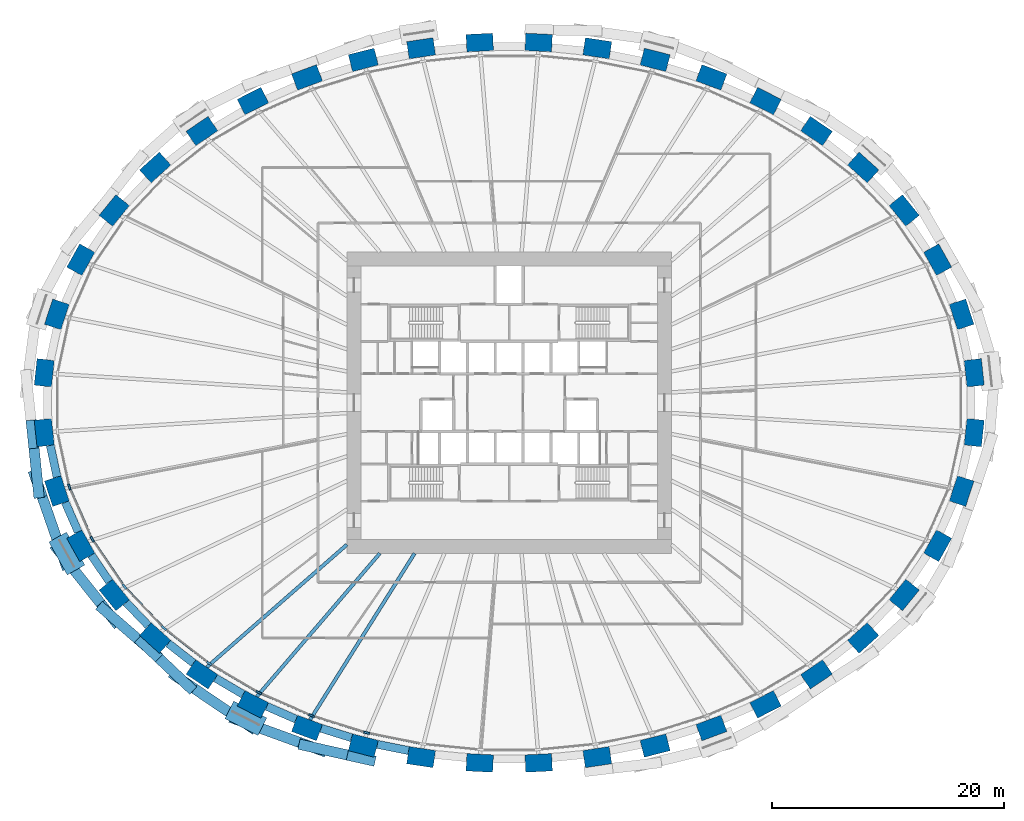
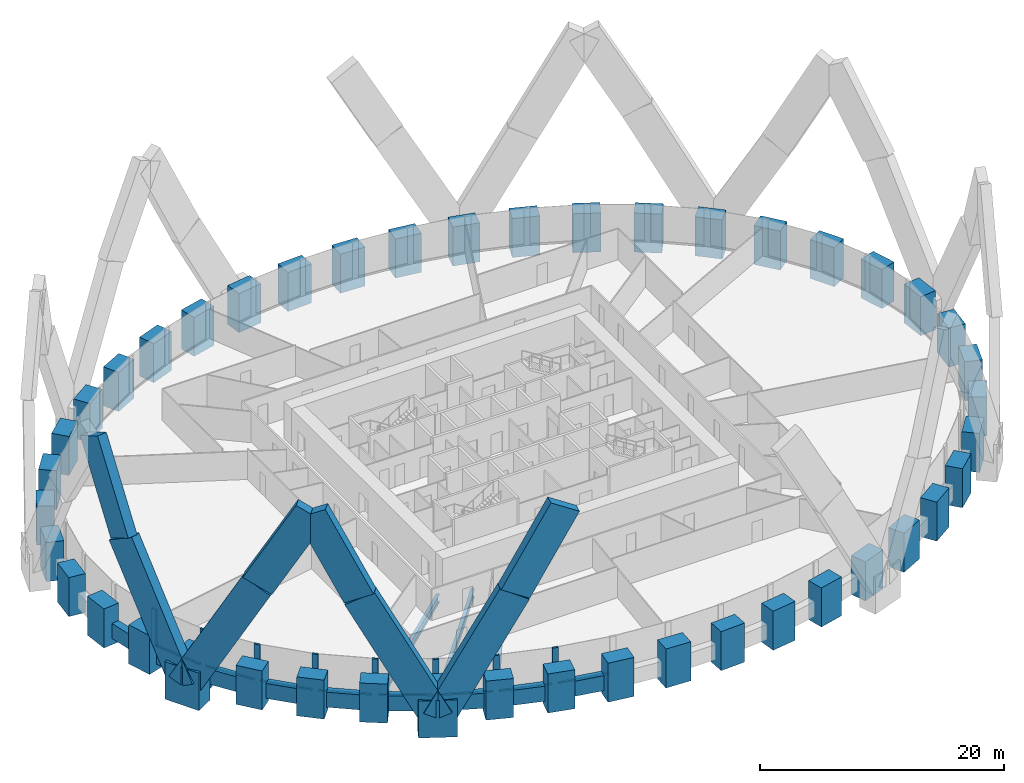
# One storey, part 1 of 13: 44 columns, 26 members, 12 beams, 1 element without a shape of its own.
"""IFC4 building model written with IfcOpenShell, lengths in metres."""

import ifcopenshell
import ifcopenshell.guid

model = None  # the IFC model being written
_history = None  # IfcOwnerHistory: only IFC2X3 demands one
_inside = {}  # id of a spatial element -> (the spatial element, [elements in it])
_under = {}  # id of a project, library or spatial element -> (it, [spatial elements below it])
_declared = {}  # id of a project -> (the project, [libraries it declares])
_typed = {}  # id of a type object -> (the type object, [elements of that type])
_made_of = {}  # id of a material, layer set ... -> (it, [elements and type objects made of it])


def new_model(schema):
    """Start an empty IFC model of exactly this schema.

    Asked for "IFC4X3", IfcOpenShell would pick the latest addendum, in which some entities
    have other attributes; the version numbers below select the first issue.
    IFC2X3 requires an IfcOwnerHistory on every rooted entity: one is made here for all.
    """
    global model, _history
    if schema == "IFC4X3":
        model = ifcopenshell.file(schema_version=(4, 3, 0, 0))
    else:
        model = ifcopenshell.file(schema=schema)
    _inside.clear()
    _under.clear()
    _declared.clear()
    _typed.clear()
    _made_of.clear()
    _history = None
    if model.schema == "IFC2X3":
        org = make("IfcOrganization", Name="unknown")
        user = make(
            "IfcPersonAndOrganization",
            ThePerson=make("IfcPerson", FamilyName="unknown"),
            TheOrganization=org,
        )
        app = make(
            "IfcApplication",
            ApplicationDeveloper=org,
            Version="unknown",
            ApplicationFullName="unknown",
            ApplicationIdentifier="unknown",
        )
        _history = make(
            "IfcOwnerHistory",
            OwningUser=user,
            OwningApplication=app,
            ChangeAction="ADDED",
            CreationDate=0,
        )
    return model


def make(cls, **values):
    """One entity of the class cls with the attributes given. An attribute that is None is left unset."""
    return model.create_entity(
        cls, **{name: value for name, value in values.items() if value is not None}
    )


def rooted(cls, **values):
    """An entity with a GlobalId (a new one), such as an element, a storey or a relation."""
    return make(cls, GlobalId=ifcopenshell.guid.new(), OwnerHistory=_history, **values)


def si_unit(unit_type, name, prefix=None):
    """IfcSIUnit, for example si_unit("LENGTHUNIT", "METRE", prefix="MILLI")."""
    return make("IfcSIUnit", UnitType=unit_type, Prefix=prefix, Name=name)


def assignment(units):
    """IfcUnitAssignment: the units of a project."""
    return None if units is None else make("IfcUnitAssignment", Units=units)


def point(xyz):
    """IfcCartesianPoint."""
    return None if xyz is None else make("IfcCartesianPoint", Coordinates=xyz)


def direction(xyz):
    """IfcDirection."""
    return None if xyz is None else make("IfcDirection", DirectionRatios=xyz)


def frame(location, z_axis=None, x_axis=None):
    """IfcAxis2Placement3D, a coordinate frame: its origin and axes. An axis left out is left unset."""
    return make(
        "IfcAxis2Placement3D",
        Location=point(location),
        Axis=direction(z_axis),
        RefDirection=direction(x_axis),
    )


def frame_2d(location, x_axis=None):
    """IfcAxis2Placement2D, a coordinate frame in the plane: its origin and x axis."""
    return make(
        "IfcAxis2Placement2D", Location=point(location), RefDirection=direction(x_axis)
    )


def origin():
    """The frame at (0, 0, 0) with its axes left unset."""
    return frame((0.0, 0.0, 0.0))


def origin_2d():
    """The frame at (0, 0) in the plane with its x axis left unset."""
    return frame_2d((0.0, 0.0))


def place(relative_to, where):
    """IfcLocalPlacement: puts the frame where relative to a parent placement (None: the world)."""
    return make(
        "IfcLocalPlacement", PlacementRelTo=relative_to, RelativePlacement=where
    )


def context(
    kind, dimensions, precision=None, world=None, true_north=None, identifier=None
):
    """IfcGeometricRepresentationContext, for example the 3D "Model" context."""
    return make(
        "IfcGeometricRepresentationContext",
        ContextIdentifier=identifier,
        ContextType=kind,
        CoordinateSpaceDimension=dimensions,
        Precision=precision,
        WorldCoordinateSystem=world,
        TrueNorth=true_north,
    )


def subcontext(parent, identifier, kind, view, scale=None):
    """IfcGeometricRepresentationSubContext, for example "Body" below "Model"."""
    return make(
        "IfcGeometricRepresentationSubContext",
        ContextIdentifier=identifier,
        ContextType=kind,
        ParentContext=parent,
        TargetScale=scale,
        TargetView=view,
    )


def project(units=None, contexts=None):
    """IfcProject with its units and contexts."""
    return rooted(
        "IfcProject",
        Name="project",
        RepresentationContexts=contexts,
        UnitsInContext=assignment(units),
    )


def spatial(cls, under=None, at=None, **own):
    """A site, building, storey or space (cls), placed at a placement, below another one or the project."""
    s = rooted(cls, ObjectPlacement=at, **own)
    if under is not None:
        _under.setdefault(under.id(), (under, []))[1].append(s)
    return s


def profile(cls, at=None, kind="AREA", **sizes):
    """A parametric profile (cls). Its sizes go by their IFC names, for example OverallWidth=200.0."""
    return make(cls, ProfileType=kind, Position=at, **sizes)


def rectangle(**sizes):
    """IfcRectangleProfileDef."""
    return profile("IfcRectangleProfileDef", **sizes)


def i_section(**sizes):
    """IfcIShapeProfileDef."""
    return profile("IfcIShapeProfileDef", **sizes)


def extrude(swept, where, along, depth):
    """IfcExtrudedAreaSolid: the profile swept, set in the frame where, extruded along a direction by depth."""
    return make(
        "IfcExtrudedAreaSolid",
        SweptArea=swept,
        Position=where,
        ExtrudedDirection=direction(along),
        Depth=depth,
    )


def shape(context_of_items, identifier, shape_type, items):
    """IfcShapeRepresentation: the items that make up one representation, for example the "Body"."""
    return make(
        "IfcShapeRepresentation",
        ContextOfItems=context_of_items,
        RepresentationIdentifier=identifier,
        RepresentationType=shape_type,
        Items=items,
    )


def source(mapping_origin, context_of_items, identifier, shape_type, items):
    """IfcRepresentationMap: a shape defined once, which mapped items show again and again."""
    return make(
        "IfcRepresentationMap",
        MappingOrigin=mapping_origin,
        MappedRepresentation=shape(context_of_items, identifier, shape_type, items),
    )


def transform(
    local_origin,
    x_axis=None,
    y_axis=None,
    z_axis=None,
    scale=None,
    scale2=None,
    scale3=None,
    uniform=True,
):
    """IfcCartesianTransformationOperator3D, or its non-uniform kind. x_axis, y_axis, z_axis: its Axis1, 2, 3."""
    if uniform:
        return make(
            "IfcCartesianTransformationOperator3D",
            Axis1=direction(x_axis),
            Axis2=direction(y_axis),
            LocalOrigin=point(local_origin),
            Scale=scale,
            Axis3=direction(z_axis),
        )
    return make(
        "IfcCartesianTransformationOperator3DnonUniform",
        Axis1=direction(x_axis),
        Axis2=direction(y_axis),
        LocalOrigin=point(local_origin),
        Scale=scale,
        Axis3=direction(z_axis),
        Scale2=scale2,
        Scale3=scale3,
    )


def mapped(mapping_source, mapping_target):
    """IfcMappedItem: shows the shape of a source again, moved by a transform."""
    return make(
        "IfcMappedItem", MappingSource=mapping_source, MappingTarget=mapping_target
    )


def material(Name=None, Category=None):
    """IfcMaterial."""
    return make("IfcMaterial", Name=Name, Category=Category)


def material_profile(
    of_material, cross_section, Name=None, Category=None, Priority=None
):
    """IfcMaterialProfile: a cross section and its material."""
    return make(
        "IfcMaterialProfile",
        Name=Name,
        Material=of_material,
        Profile=cross_section,
        Priority=Priority,
        Category=Category,
    )


def profile_set(profiles, Name=None, composite=None):
    """IfcMaterialProfileSet."""
    return make(
        "IfcMaterialProfileSet",
        Name=Name,
        MaterialProfiles=profiles,
        CompositeProfile=composite,
    )


def made_of(thing, what):
    """Note that an element or type object is made of a material, layer set ...; save() writes the relation."""
    if what is not None:
        _made_of.setdefault(what.id(), (what, []))[1].append(thing)
    return thing


def type_object(cls, material=None, **own):
    """A type object (cls), such as IfcWallType, which elements share."""
    return made_of(rooted(cls, **own), material)


def element(
    cls,
    number,
    at=None,
    inside=None,
    cuts=None,
    type_object=None,
    material=None,
    context=None,
    identifier="Body",
    shape_type=None,
    held_by="IfcProductDefinitionShape",
    body=None,
    shapes=None,
    **own,
):
    """One element of the class cls, such as IfcWall. Its Tag is "e" and its number.

    at: its placement. inside: the storey or other place that contains it. cuts: it is an
    opening in that element (IfcRelVoidsElement). A single representation is given by context,
    identifier, shape_type and body (its items); several are given by shapes. held_by: the class
    of the entity that holds the representations. save() writes the other relations.
    """
    e = rooted(cls, Tag="e%d" % number, ObjectPlacement=at, **own)
    if body is not None:
        shapes = [shape(context, identifier, shape_type, body)]
    if shapes is not None:
        e.Representation = make(held_by, Representations=shapes)
    if inside is not None:
        _inside.setdefault(inside.id(), (inside, []))[1].append(e)
    if cuts is not None:
        rooted(
            "IfcRelVoidsElement", RelatingBuildingElement=cuts, RelatedOpeningElement=e
        )
    if type_object is not None:
        _typed.setdefault(type_object.id(), (type_object, []))[1].append(e)
    return made_of(e, material)


def aggregate(whole, parts):
    """IfcRelAggregates: a whole, such as a stair, and the parts it consists of."""
    return rooted("IfcRelAggregates", RelatingObject=whole, RelatedObjects=parts)


def save(model, path):
    """Write the relations noted so far, then the file.

    IfcRelAggregates (storeys below a building ...), IfcRelContainedInSpatialStructure (elements
    in a storey), IfcRelDefinesByType, IfcRelAssociatesMaterial and IfcRelDeclares: one each for
    every whole, place, type object, material and project.
    """
    for whole, parts in _under.values():
        aggregate(whole, parts)
    for where, things in _inside.values():
        rooted(
            "IfcRelContainedInSpatialStructure",
            RelatedElements=things,
            RelatingStructure=where,
        )
    for kind, things in _typed.values():
        rooted("IfcRelDefinesByType", RelatedObjects=things, RelatingType=kind)
    for what, things in _made_of.values():
        rooted("IfcRelAssociatesMaterial", RelatedObjects=things, RelatingMaterial=what)
    for by, libraries in _declared.values():
        rooted("IfcRelDeclares", RelatingContext=by, RelatedDefinitions=libraries)
    model.write(path)


model = new_model("IFC4")

# Units and contexts
model_context = context("Model", 3, precision=1e-05, world=origin(), true_north=direction((0.0, 1.0)))
body_context = subcontext(model_context, "Body", "Model", "MODEL_VIEW")
ifc_project = project(units=[si_unit("LENGTHUNIT", "METRE"), si_unit("AREAUNIT", "SQUARE_METRE"), si_unit("VOLUMEUNIT", "CUBIC_METRE"), si_unit("PLANEANGLEUNIT", "RADIAN"), si_unit("MASSUNIT", "GRAM", prefix="KILO")], contexts=[model_context])

# Site, building, storey
site_placement = place(None, origin())
site = spatial("IfcSite", under=ifc_project, at=site_placement, CompositionType="ELEMENT")
building_placement = place(site_placement, origin())
building = spatial("IfcBuilding", under=site, at=building_placement, Name="Embergate Tower", CompositionType="ELEMENT")
storey_placement = place(building_placement, frame((0.0, 0.0, 105.5)))
storey = spatial("IfcBuildingStorey", under=building, at=storey_placement, Name="L22", CompositionType="ELEMENT", Elevation=105.5)

# Columns
ifc_material_1 = material(Name="Concrete C70", Category="concrete")
ifc_material_profile_1 = material_profile(ifc_material_1, rectangle(XDim=1.5, YDim=2.300048828125, at=origin_2d()), Name="RC 1500x2300")
ifc_profile_set_1 = profile_set([ifc_material_profile_1], Name="Concrete C70")
column_type = type_object("IfcColumnType", Name="Ring column RC 1500x2300 C70", PredefinedType="COLUMN", material=ifc_profile_set_1)
shared_shape_1 = source(origin(), body_context, "Body", "SweptSolid", [
    extrude(rectangle(XDim=1.5, YDim=2.300048828125, at=origin_2d()), origin(), (0.0, 0.0, 1.0), 3.89990234375),
])
for number, where, z_axis, x_axis, name in (
    (1, (40.1259765625, 2.58203125, -1.39990234375), (0.0, 0.0, 1.0), (0.99428589498, 0.106749983816, 0.0), "COL-L22-00"),
    (2, (39.0400390625, 7.6259765625, -1.39990234375), (0.0, 0.0, 1.0), (0.950754033697, 0.309946394413, 0.0), "COL-L22-01"),
    (3, (36.971923828125, 12.342041015625, -1.39990234375), (0.0, 0.0, 1.0), (0.873500465855, 0.486823311018, 0.0), "COL-L22-02"),
    (4, (34.083984375, 16.590087890625, -1.39990234375), (0.0, 0.0, 1.0), (0.775925311702, 0.630824786022, 0.0), "COL-L22-03"),
    (5, (30.548095703125, 20.299072265625, -1.39990234375), (0.0, 0.0, 1.0), (0.669221393633, 0.743063070206, 0.0), "COL-L22-04"),
    (6, (26.51806640625, 23.444091796875, -1.39990234375), (0.0, 0.0, 1.0), (0.560407734638, 0.828216862275, 0.0), "COL-L22-05"),
    (7, (22.118896484375, 26.031005859375, -1.39990234375), (0.0, 0.0, 1.0), (0.453010512651, 0.891505174089, 0.0), "COL-L22-06"),
    (8, (17.449951171875, 28.072021484375, -1.39990234375), (0.0, 0.0, 1.0), (0.348343015724, 0.93736713373, 0.0), "COL-L22-07"),
    (9, (12.590087890625, 29.5859375, -1.39990234375), (0.0, 0.0, 1.0), (0.24650851817, 0.969140624713, 0.0), "COL-L22-08"),
    (10, (7.60205078125, 30.5859375, -1.39990234375), (0.0, 0.0, 1.0), (0.146929011949, 0.989147039346, 0.0), "COL-L22-09"),
    (11, (2.5419921875, 31.083984375, -1.39990234375), (0.0, 0.0, 1.0), (0.048814904854, 0.998807841912, 0.0), "COL-L22-10"),
    (12, (-2.5419921875, 31.083984375, -1.39990234375), (0.0, 0.0, 1.0), (-0.048814904854, 0.998807841912, 0.0), "COL-L22-11"),
    (13, (-7.60205078125, 30.5859375, -1.39990234375), (0.0, 0.0, 1.0), (-0.146929011949, 0.989147039346, 0.0), "COL-L22-12"),
    (14, (-12.590087890625, 29.5859375, -1.39990234375), (0.0, 0.0, 1.0), (-0.24650851817, 0.969140624713, 0.0), "COL-L22-13"),
    (15, (-17.449951171875, 28.072021484375, -1.39990234375), (0.0, 0.0, 1.0), (-0.348343015724, 0.93736713373, 0.0), "COL-L22-14"),
    (16, (-22.118896484375, 26.031005859375, -1.39990234375), (0.0, 0.0, 1.0), (-0.453010512651, 0.891505174089, 0.0), "COL-L22-15"),
    (17, (-26.51806640625, 23.444091796875, -1.39990234375), (0.0, 0.0, 1.0), (-0.560407734638, 0.828216862275, 0.0), "COL-L22-16"),
    (18, (-30.548095703125, 20.299072265625, -1.39990234375), (0.0, 0.0, 1.0), (-0.669221393633, 0.743063070206, 0.0), "COL-L22-17"),
    (19, (-34.083984375, 16.590087890625, -1.39990234375), (0.0, 0.0, 1.0), (-0.775925311702, 0.630824786022, 0.0), "COL-L22-18"),
    (20, (-36.971923828125, 12.342041015625, -1.39990234375), (0.0, 0.0, 1.0), (-0.873500465855, 0.486823311018, 0.0), "COL-L22-19"),
    (21, (-39.0400390625, 7.6259765625, -1.39990234375), (0.0, 0.0, 1.0), (-0.950754033697, 0.309946394413, 0.0), "COL-L22-20"),
    (22, (-40.1259765625, 2.58203125, -1.39990234375), (0.0, 0.0, 1.0), (-0.99428589498, 0.106749983816, 0.0), "COL-L22-21"),
    (23, (-40.1259765625, -2.58203125, -1.39990234375), (0.0, 0.0, 1.0), (-0.99428589498, -0.106749983816, 0.0), "COL-L22-22"),
    (24, (-39.0400390625, -7.6259765625, -1.39990234375), (0.0, 0.0, 1.0), (-0.950754033697, -0.309946394413, 0.0), "COL-L22-23"),
    (25, (-36.971923828125, -12.342041015625, -1.39990234375), (0.0, 0.0, 1.0), (-0.873500465855, -0.486823311018, 0.0), "COL-L22-24"),
    (26, (-34.083984375, -16.590087890625, -1.39990234375), (0.0, 0.0, 1.0), (-0.775925311702, -0.630824786022, 0.0), "COL-L22-25"),
    (27, (-30.548095703125, -20.299072265625, -1.39990234375), (0.0, 0.0, 1.0), (-0.669221393633, -0.743063070206, 0.0), "COL-L22-26"),
    (28, (-26.51806640625, -23.444091796875, -1.39990234375), (0.0, 0.0, 1.0), (-0.560407734638, -0.828216862275, 0.0), "COL-L22-27"),
    (29, (-22.118896484375, -26.031005859375, -1.39990234375), (0.0, 0.0, 1.0), (-0.453010512651, -0.891505174089, 0.0), "COL-L22-28"),
    (30, (-17.449951171875, -28.072021484375, -1.39990234375), (0.0, 0.0, 1.0), (-0.348343015724, -0.93736713373, 0.0), "COL-L22-29"),
    (31, (-12.590087890625, -29.5859375, -1.39990234375), (0.0, 0.0, 1.0), (-0.24650851817, -0.969140624713, 0.0), "COL-L22-30"),
    (32, (-7.60205078125, -30.5859375, -1.39990234375), (0.0, 0.0, 1.0), (-0.146929011949, -0.989147039346, 0.0), "COL-L22-31"),
    (33, (-2.5419921875, -31.083984375, -1.39990234375), (0.0, 0.0, 1.0), (-0.048814904854, -0.998807841912, 0.0), "COL-L22-32"),
    (34, (2.5419921875, -31.083984375, -1.39990234375), (0.0, 0.0, 1.0), (0.048814904854, -0.998807841912, 0.0), "COL-L22-33"),
    (35, (7.60205078125, -30.5859375, -1.39990234375), (0.0, 0.0, 1.0), (0.146929011949, -0.989147039346, 0.0), "COL-L22-34"),
    (36, (12.590087890625, -29.5859375, -1.39990234375), (0.0, 0.0, 1.0), (0.24650851817, -0.969140624713, 0.0), "COL-L22-35"),
    (37, (17.449951171875, -28.072021484375, -1.39990234375), (0.0, 0.0, 1.0), (0.348343015724, -0.93736713373, 0.0), "COL-L22-36"),
    (38, (22.118896484375, -26.031005859375, -1.39990234375), (0.0, 0.0, 1.0), (0.453010512651, -0.891505174089, 0.0), "COL-L22-37"),
    (39, (26.51806640625, -23.444091796875, -1.39990234375), (0.0, 0.0, 1.0), (0.560407734638, -0.828216862275, 0.0), "COL-L22-38"),
    (40, (30.548095703125, -20.299072265625, -1.39990234375), (0.0, 0.0, 1.0), (0.669221393633, -0.743063070206, 0.0), "COL-L22-39"),
    (41, (34.083984375, -16.590087890625, -1.39990234375), (0.0, 0.0, 1.0), (0.775925311702, -0.630824786022, 0.0), "COL-L22-40"),
    (42, (36.971923828125, -12.342041015625, -1.39990234375), (0.0, 0.0, 1.0), (0.873500465855, -0.486823311018, 0.0), "COL-L22-41"),
    (43, (39.0400390625, -7.6259765625, -1.39990234375), (0.0, 0.0, 1.0), (0.950754033697, -0.309946394413, 0.0), "COL-L22-42"),
    (44, (40.1259765625, -2.58203125, -1.39990234375), (0.0, 0.0, 1.0), (0.99428589498, -0.106749983816, 0.0), "COL-L22-43"),
):
    element("IfcColumn", number, at=place(storey_placement, frame(where, z_axis=z_axis, x_axis=x_axis)), inside=storey, type_object=column_type, Name=name, PredefinedType="COLUMN", context=body_context, shape_type="MappedRepresentation", body=[
        mapped(shared_shape_1, transform((0.0, 0.0, 0.0))),
    ])

# Beams
ifc_material_profile_2 = material_profile(ifc_material_1, rectangle(XDim=0.699951171875, YDim=1.5, at=origin_2d()), Name="RC 700x1500")
ifc_profile_set_2 = profile_set([ifc_material_profile_2], Name="Concrete C70")
beam_type_1 = type_object("IfcBeamType", Name="Spandrel beam RC 700x1500 C70", PredefinedType="BEAM", material=ifc_profile_set_2)
shared_shape_2 = source(origin(), body_context, "Body", "SweptSolid", [
    extrude(rectangle(XDim=0.699951171875, YDim=1.5, at=origin_2d()), origin(), (0.0, 0.0, 1.0), 2.789306640625),
])
beam_1_placement = place(storey_placement, frame((-39.60693359375, -3.68310546875, 0.0), z_axis=(0.210419662527, -0.977611152566, 0.0), x_axis=(0.977611152566, 0.210419662527, 0.0)))
element("IfcBeam", 45, at=beam_1_placement, inside=storey, type_object=beam_type_1, Name="SPN-L22-22", PredefinedType="BEAM", context=body_context, shape_type="MappedRepresentation", body=[
    mapped(shared_shape_2, transform((0.0, 0.0, 0.0))),
])
shared_shape_3 = source(origin(), body_context, "Body", "SweptSolid", [
    extrude(rectangle(XDim=0.699951171875, YDim=1.5, at=origin_2d()), origin(), (0.0, 0.0, 1.0), 2.78564453125),
])
beam_2_placement = place(storey_placement, frame((-38.31201171875, -8.597900390625, 0.0), z_axis=(0.401669232295, -0.915784815242, 0.0), x_axis=(0.915784815242, 0.401669232295, 0.0)))
element("IfcBeam", 46, at=beam_2_placement, inside=storey, type_object=beam_type_1, Name="SPN-L22-23", PredefinedType="BEAM", context=body_context, shape_type="MappedRepresentation", body=[
    mapped(shared_shape_3, transform((0.0, 0.0, 0.0))),
])
shared_shape_4 = source(origin(), body_context, "Body", "SweptSolid", [
    extrude(rectangle(XDim=0.699951171875, YDim=1.5, at=origin_2d()), origin(), (0.0, 0.0, 1.0), 2.775634765625),
])
beam_3_placement = place(storey_placement, frame((-36.06201171875, -13.152099609375, 0.0), z_axis=(0.562430313872, -0.826844690397, 0.0), x_axis=(0.826844690397, 0.562430313872, 0.0)))
element("IfcBeam", 47, at=beam_3_placement, inside=storey, type_object=beam_type_1, Name="SPN-L22-24", PredefinedType="BEAM", context=body_context, shape_type="MappedRepresentation", body=[
    mapped(shared_shape_4, transform((0.0, 0.0, 0.0))),
])
shared_shape_5 = source(origin(), body_context, "Body", "SweptSolid", [
    extrude(rectangle(XDim=0.699951171875, YDim=1.5, at=origin_2d()), origin(), (0.0, 0.0, 1.0), 2.770263671875),
])
beam_4_placement = place(storey_placement, frame((-33.055908203125, -17.237060546875, 0.0), z_axis=(0.690119345663, -0.723695577395, 0.0), x_axis=(0.723695577395, 0.690119345663, 0.0)))
element("IfcBeam", 48, at=beam_4_placement, inside=storey, type_object=beam_type_1, Name="SPN-L22-25", PredefinedType="BEAM", context=body_context, shape_type="MappedRepresentation", body=[
    mapped(shared_shape_5, transform((0.0, 0.0, 0.0))),
])
shared_shape_6 = source(origin(), body_context, "Body", "SweptSolid", [
    extrude(rectangle(XDim=0.699951171875, YDim=1.5, at=origin_2d()), origin(), (0.0, 0.0, 1.0), 2.762939453125),
])
beam_5_placement = place(storey_placement, frame((-29.426025390625, -20.77099609375, 0.0), z_axis=(0.788304284462, -0.615285588242, 0.0), x_axis=(0.615285588242, 0.788304284462, 0.0)))
element("IfcBeam", 49, at=beam_5_placement, inside=storey, type_object=beam_type_1, Name="SPN-L22-26", PredefinedType="BEAM", context=body_context, shape_type="MappedRepresentation", body=[
    mapped(shared_shape_6, transform((0.0, 0.0, 0.0))),
])
shared_shape_7 = source(origin(), body_context, "Body", "SweptSolid", [
    extrude(rectangle(XDim=0.699951171875, YDim=1.5, at=origin_2d()), origin(), (0.0, 0.0, 1.0), 2.758544921875),
])
beam_6_placement = place(storey_placement, frame((-25.345947265625, -23.763916015625, 0.0), z_axis=(0.862027482261, -0.506861539108, 0.0), x_axis=(0.506861539108, 0.862027482261, 0.0)))
element("IfcBeam", 50, at=beam_6_placement, inside=storey, type_object=beam_type_1, Name="SPN-L22-27", PredefinedType="BEAM", context=body_context, shape_type="MappedRepresentation", body=[
    mapped(shared_shape_7, transform((0.0, 0.0, 0.0))),
])
shared_shape_8 = source(origin(), body_context, "Body", "SweptSolid", [
    extrude(rectangle(XDim=0.699951171875, YDim=1.5, at=origin_2d()), origin(), (0.0, 0.0, 1.0), 2.75537109375),
])
beam_7_placement = place(storey_placement, frame((-20.9189453125, -26.2080078125, 0.0), z_axis=(0.916372764163, -0.400326063478, 0.0), x_axis=(0.400326063478, 0.916372764163, 0.0)))
element("IfcBeam", 51, at=beam_7_placement, inside=storey, type_object=beam_type_1, Name="SPN-L22-28", PredefinedType="BEAM", context=body_context, shape_type="MappedRepresentation", body=[
    mapped(shared_shape_8, transform((0.0, 0.0, 0.0))),
])
shared_shape_9 = source(origin(), body_context, "Body", "SweptSolid", [
    extrude(rectangle(XDim=0.699951171875, YDim=1.5, at=origin_2d()), origin(), (0.0, 0.0, 1.0), 2.750732421875),
])
beam_8_placement = place(storey_placement, frame((-16.23193359375, -28.095947265625, 0.0), z_axis=(0.954637769475, -0.297769590609, 0.0), x_axis=(0.297769590609, 0.954637769475, 0.0)))
element("IfcBeam", 52, at=beam_8_placement, inside=storey, type_object=beam_type_1, Name="SPN-L22-29", PredefinedType="BEAM", context=body_context, shape_type="MappedRepresentation", body=[
    mapped(shared_shape_9, transform((0.0, 0.0, 0.0))),
])
shared_shape_10 = source(origin(), body_context, "Body", "SweptSolid", [
    extrude(rectangle(XDim=0.699951171875, YDim=1.5, at=origin_2d()), origin(), (0.0, 0.0, 1.0), 2.749755859375),
])
beam_9_placement = place(storey_placement, frame((-11.376953125, -29.48291015625, 0.0), z_axis=(0.98045412413, -0.196747834743, 0.0), x_axis=(0.196747834743, 0.98045412413, 0.0)))
element("IfcBeam", 53, at=beam_9_placement, inside=storey, type_object=beam_type_1, Name="SPN-L22-30", PredefinedType="BEAM", context=body_context, shape_type="MappedRepresentation", body=[
    mapped(shared_shape_10, transform((0.0, 0.0, 0.0))),
])
ifc_material_2 = material(Name="Steel Q355B", Category="steel")
ifc_material_profile_3 = material_profile(ifc_material_2, i_section(OverallWidth=0.300048828125, OverallDepth=0.800048828125, WebThickness=0.013916015625, FlangeThickness=0.02587890625, FilletRadius=0.028076171875, at=origin_2d()), Name="HN 800x300x14x26")
ifc_profile_set_3 = profile_set([ifc_material_profile_3], Name="Steel Q355 grade B")
beam_type_2 = type_object("IfcBeamType", Name="Radial girder HN 800x300x14x26", PredefinedType="BEAM", material=ifc_profile_set_3)
shared_shape_11 = source(origin(), body_context, "Body", "SweptSolid", [
    extrude(i_section(OverallWidth=0.300048828125, OverallDepth=0.800048828125, WebThickness=0.013916015625, FlangeThickness=0.02587890625, FilletRadius=0.028076171875, at=origin_2d()), origin(), (0.0, 0.0, 1.0), 16.071533203125),
])
beam_10_placement = place(storey_placement, frame((-26.097900390625, -22.822998046875, -0.60009765625), z_axis=(0.752748875992, 0.658307777329, 0.0), x_axis=(-0.658307777329, 0.752748875992, 0.0)))
element("IfcBeam", 54, at=beam_10_placement, inside=storey, type_object=beam_type_2, Name="GIR-L22-27", PredefinedType="BEAM", context=body_context, shape_type="MappedRepresentation", body=[
    mapped(shared_shape_11, transform((0.0, 0.0, 0.0))),
])
shared_shape_12 = source(origin(), body_context, "Body", "SweptSolid", [
    extrude(i_section(OverallWidth=0.300048828125, OverallDepth=0.800048828125, WebThickness=0.013916015625, FlangeThickness=0.02587890625, FilletRadius=0.028076171875, at=origin_2d()), origin(), (0.0, 0.0, 1.0), 16.294677734375),
])
beam_11_placement = place(storey_placement, frame((-21.779052734375, -25.362060546875, -0.60009765625), z_axis=(0.651495635829, 0.758652381856, 0.0), x_axis=(-0.758652381856, 0.651495635829, 0.0)))
element("IfcBeam", 55, at=beam_11_placement, inside=storey, type_object=beam_type_2, Name="GIR-L22-28", PredefinedType="BEAM", context=body_context, shape_type="MappedRepresentation", body=[
    mapped(shared_shape_12, transform((0.0, 0.0, 0.0))),
])
shared_shape_13 = source(origin(), body_context, "Body", "SweptSolid", [
    extrude(i_section(OverallWidth=0.300048828125, OverallDepth=0.800048828125, WebThickness=0.013916015625, FlangeThickness=0.02587890625, FilletRadius=0.028076171875, at=origin_2d()), origin(), (0.0, 0.0, 1.0), 16.968017578125),
])
beam_12_placement = place(storey_placement, frame((-17.18896484375, -27.368896484375, -0.60009765625), z_axis=(0.53187684388, 0.846821718513, 0.0), x_axis=(-0.846821718513, 0.53187684388, 0.0)))
element("IfcBeam", 56, at=beam_12_placement, inside=storey, type_object=beam_type_2, Name="GIR-L22-29", PredefinedType="BEAM", context=body_context, shape_type="MappedRepresentation", body=[
    mapped(shared_shape_13, transform((0.0, 0.0, 0.0))),
])

# Members
ifc_material_profile_4 = material_profile(ifc_material_1, rectangle(XDim=1.699951171875, YDim=3.199951171875, at=origin_2d()), Name="RC 1700x3200")
ifc_profile_set_4 = profile_set([ifc_material_profile_4], Name="Concrete C70")
member_type_1 = type_object("IfcMemberType", Name="Lattice node block RC 1700x3200", PredefinedType="POST", material=ifc_profile_set_4)
shared_shape_14 = source(origin(), body_context, "Body", "SweptSolid", [
    extrude(rectangle(XDim=1.699951171875, YDim=3.199951171875, at=origin_2d()), origin(), (0.0, 0.0, 1.0), 3.7001953125),
])
member_1_placement = place(storey_placement, frame((-22.72998046875, -27.23388671875, -1.85009765625), z_axis=(0.0, 0.0, 1.0), x_axis=(-0.453010512651, -0.891505174089, 0.0)))
element("IfcMember", 57, at=member_1_placement, inside=storey, type_object=member_type_1, Name="NOD-L22-28", PredefinedType="POST", context=body_context, shape_type="MappedRepresentation", body=[
    mapped(shared_shape_14, transform((0.0, 0.0, 0.0))),
])
ifc_material_profile_5 = material_profile(ifc_material_1, rectangle(XDim=1.75, YDim=3.25, at=origin_2d()), Name="RC 1750x3250")
ifc_profile_set_5 = profile_set([ifc_material_profile_5], Name="Concrete C70")
member_type_2 = type_object("IfcMemberType", Name="Lattice node block RC 1750x3250", PredefinedType="POST", material=ifc_profile_set_5)
shared_shape_15 = source(origin(), body_context, "Body", "SweptSolid", [
    extrude(rectangle(XDim=1.75, YDim=3.25, at=origin_2d()), origin(), (0.0, 0.0, 1.0), 3.75),
])
member_2_placement = place(storey_placement, frame((-38.173095703125, -13.011962890625, -1.875), z_axis=(0.0, 0.0, 1.0), x_axis=(-0.873500465855, -0.486823311018, 0.0)))
element("IfcMember", 58, at=member_2_placement, inside=storey, type_object=member_type_2, Name="NOD-L22-24", PredefinedType="POST", context=body_context, shape_type="MappedRepresentation", body=[
    mapped(shared_shape_15, transform((0.0, 0.0, 0.0))),
])
ifc_material_profile_6 = material_profile(ifc_material_1, rectangle(XDim=0.89990234375, YDim=2.800048828125, at=origin_2d()), Name="RC 900x2800")
ifc_profile_set_6 = profile_set([ifc_material_profile_6], Name="Concrete C70")
member_type_3 = type_object("IfcMemberType", Name="Lattice diagonal terracotta-faced RC 900x2800", PredefinedType="BRACE", material=ifc_profile_set_6)
shared_shape_16 = source(origin(), body_context, "Body", "SweptSolid", [
    extrude(rectangle(XDim=0.89990234375, YDim=2.800048828125, at=origin_2d()), origin(), (0.0, 0.0, 1.0), 13.422607421875),
])
member_3_placement = place(storey_placement, frame((-38.528076171875, -13.208984375, 0.0), z_axis=(-0.161369824096, 0.462792358464, 0.871655329141), x_axis=(-0.944244190506, -0.329245969901, 0.0)))
element("IfcMember", 59, at=member_3_placement, inside=storey, type_object=member_type_3, Name="BRC-L22-24-22-S00", PredefinedType="BRACE", context=body_context, shape_type="MappedRepresentation", body=[
    mapped(shared_shape_16, transform((0.0, 0.0, 0.0))),
])
shared_shape_17 = source(origin(), body_context, "Body", "SweptSolid", [
    extrude(rectangle(XDim=0.89990234375, YDim=2.800048828125, at=origin_2d()), origin(), (0.0, 0.0, 1.0), 8.9052734375),
])
member_4_placement = place(storey_placement, frame((-40.694091796875, -6.9970703125, 11.699951171875), z_axis=(-0.049402675767, 0.479962621894, 0.875896830233), x_axis=(-0.994744405317, -0.10238929676, 0.0)))
element("IfcMember", 60, at=member_4_placement, inside=storey, type_object=member_type_3, Name="BRC-L22-24-22-S01", PredefinedType="BRACE", context=body_context, shape_type="MappedRepresentation", body=[
    mapped(shared_shape_17, transform((0.0, 0.0, 0.0))),
])
shared_shape_18 = source(origin(), body_context, "Body", "SweptSolid", [
    extrude(rectangle(XDim=0.89990234375, YDim=2.800048828125, at=origin_2d()), origin(), (0.0, 0.0, 1.0), 13.376708984375),
])
member_5_placement = place(storey_placement, frame((-38.528076171875, -13.208984375, 0.0), z_axis=(0.302020546814, -0.379168289828, 0.874651357565), x_axis=(0.782189419454, 0.623040698586, 0.0)))
element("IfcMember", 61, at=member_5_placement, inside=storey, type_object=member_type_3, Name="BRC-L22-24-26-S00", PredefinedType="BRACE", context=body_context, shape_type="MappedRepresentation", body=[
    mapped(shared_shape_18, transform((0.0, 0.0, 0.0))),
])
shared_shape_19 = source(origin(), body_context, "Body", "SweptSolid", [
    extrude(rectangle(XDim=0.89990234375, YDim=2.800048828125, at=origin_2d()), origin(), (0.0, 0.0, 1.0), 8.982666015625),
])
member_6_placement = place(storey_placement, frame((-34.488037109375, -18.281005859375, 11.699951171875), z_axis=(0.374282194779, -0.325414328523, 0.868342302012), x_axis=(0.65612308708, 0.754653890602, 0.0)))
element("IfcMember", 62, at=member_6_placement, inside=storey, type_object=member_type_3, Name="BRC-L22-24-26-S01", PredefinedType="BRACE", context=body_context, shape_type="MappedRepresentation", body=[
    mapped(shared_shape_19, transform((0.0, 0.0, 0.0))),
])
shared_shape_20 = source(origin(), body_context, "Body", "SweptSolid", [
    extrude(rectangle(XDim=0.89990234375, YDim=2.800048828125, at=origin_2d()), origin(), (0.0, 0.0, 1.0), 13.320556640625),
])
member_7_placement = place(storey_placement, frame((-22.902099609375, -27.572021484375, 0.0), z_axis=(-0.39553990948, 0.268452483859, 0.878340164127), x_axis=(-0.561573610229, -0.827426782437, 0.0)))
element("IfcMember", 63, at=member_7_placement, inside=storey, type_object=member_type_3, Name="BRC-L22-28-26-S00", PredefinedType="BRACE", context=body_context, shape_type="MappedRepresentation", body=[
    mapped(shared_shape_20, transform((0.0, 0.0, 0.0))),
])
shared_shape_21 = source(origin(), body_context, "Body", "SweptSolid", [
    extrude(rectangle(XDim=0.89990234375, YDim=2.800048828125, at=origin_2d()), origin(), (0.0, 0.0, 1.0), 8.7958984375),
])
member_8_placement = place(storey_placement, frame((-28.1708984375, -23.99609375, 11.699951171875), z_axis=(-0.33595953082, 0.317418472774, 0.886778837588), x_axis=(-0.686764590394, -0.726879905748, 0.0)))
element("IfcMember", 64, at=member_8_placement, inside=storey, type_object=member_type_3, Name="BRC-L22-28-26-S01", PredefinedType="BRACE", context=body_context, shape_type="MappedRepresentation", body=[
    mapped(shared_shape_21, transform((0.0, 0.0, 0.0))),
])
shared_shape_22 = source(origin(), body_context, "Body", "SweptSolid", [
    extrude(rectangle(XDim=0.89990234375, YDim=2.800048828125, at=origin_2d()), origin(), (0.0, 0.0, 1.0), 13.306884765625),
])
member_9_placement = place(storey_placement, frame((-22.902099609375, -27.572021484375, 0.0), z_axis=(0.447668193819, -0.16284847903, 0.879246018541), x_axis=(0.34185438717, 0.939752934538, 0.0)))
element("IfcMember", 65, at=member_9_placement, inside=storey, type_object=member_type_3, Name="BRC-L22-28-30-S00", PredefinedType="BRACE", context=body_context, shape_type="MappedRepresentation", body=[
    mapped(shared_shape_22, transform((0.0, 0.0, 0.0))),
])
shared_shape_23 = source(origin(), body_context, "Body", "SweptSolid", [
    extrude(rectangle(XDim=0.89990234375, YDim=2.800048828125, at=origin_2d()), origin(), (0.0, 0.0, 1.0), 8.897216796875),
])
member_10_placement = place(storey_placement, frame((-16.945068359375, -29.739013671875, 11.699951171875), z_axis=(0.469467019398, -0.105094317862, 0.876673201399), x_axis=(0.218452078122, 0.97584767744, 0.0)))
element("IfcMember", 66, at=member_10_placement, inside=storey, type_object=member_type_3, Name="BRC-L22-28-30-S01", PredefinedType="BRACE", context=body_context, shape_type="MappedRepresentation", body=[
    mapped(shared_shape_23, transform((0.0, 0.0, 0.0))),
])

# Curtain wall, members
ifc_material_3 = material(Name="Aluminium and glass", Category="aluminium")
curtain_wall_type = type_object("IfcCurtainWallType", Name="Recessed office glazing", PredefinedType="NOTDEFINED", material=ifc_material_3)
curtain_wall_placement = place(storey_placement, origin())
curtain_wall = element("IfcCurtainWall", 67, at=curtain_wall_placement, inside=storey, type_object=curtain_wall_type, Name="Recessed office glazing ring", ObjectType="RECESSED OFFICE GLAZING", PredefinedType="USERDEFINED")
ifc_material_4 = material(Name="Aluminium, thermally broken", Category="aluminium")
ifc_material_profile_7 = material_profile(ifc_material_4, rectangle(XDim=0.179931640625, YDim=0.52001953125, at=origin_2d()), Name="AL 520x180")
ifc_profile_set_7 = profile_set([ifc_material_profile_7], Name="Aluminium, thermally broken")
member_type_4 = type_object("IfcMemberType", Name="Office mullion", PredefinedType="MULLION", material=ifc_profile_set_7)
shared_shape_24 = source(origin(), body_context, "Body", "SweptSolid", [
    extrude(rectangle(XDim=0.179931640625, YDim=0.52001953125, at=origin_2d()), origin(), (0.0, 0.0, 1.0), 3.699951171875),
])
member_11_placement = place(storey_placement, frame((-37.95654296875, -7.272705078125, 0.0), z_axis=(0.0, 0.0, 1.0), x_axis=(0.951501556643, 0.307643930065, 0.0)))
member_11 = element("IfcMember", 68, at=member_11_placement, type_object=member_type_4, Name="CW mullion 24", PredefinedType="MULLION", context=body_context, shape_type="MappedRepresentation", body=[
    mapped(shared_shape_24, transform((0.0, 0.0, 0.0))),
])
member_12_placement = place(storey_placement, frame((-35.9765625, -11.787353515625, 0.0), z_axis=(0.0, 0.0, 1.0), x_axis=(0.875009500255, 0.484105747191, 0.0)))
member_12 = element("IfcMember", 69, at=member_12_placement, type_object=member_type_4, Name="CW mullion 25", PredefinedType="MULLION", context=body_context, shape_type="MappedRepresentation", body=[
    mapped(shared_shape_24, transform((0.0, 0.0, 0.0))),
])
member_13_placement = place(storey_placement, frame((-33.19921875, -15.87109375, 0.0), z_axis=(0.0, 0.0, 1.0), x_axis=(0.777883532271, 0.628408474022, 0.0)))
member_13 = element("IfcMember", 70, at=member_13_placement, type_object=member_type_4, Name="CW mullion 26", PredefinedType="MULLION", context=body_context, shape_type="MappedRepresentation", body=[
    mapped(shared_shape_24, transform((0.0, 0.0, 0.0))),
])
member_14_placement = place(storey_placement, frame((-29.784912109375, -19.451416015625, 0.0), z_axis=(0.0, 0.0, 1.0), x_axis=(0.671238177437, 0.741241734626, 0.0)))
member_14 = element("IfcMember", 71, at=member_14_placement, type_object=member_type_4, Name="CW mullion 27", PredefinedType="MULLION", context=body_context, shape_type="MappedRepresentation", body=[
    mapped(shared_shape_24, transform((0.0, 0.0, 0.0))),
])
member_15_placement = place(storey_placement, frame((-25.87890625, -22.5, 0.0), z_axis=(0.0, 0.0, 1.0), x_axis=(0.562227722082, 0.826982459622, 0.0)))
member_15 = element("IfcMember", 72, at=member_15_placement, type_object=member_type_4, Name="CW mullion 28", PredefinedType="MULLION", context=body_context, shape_type="MappedRepresentation", body=[
    mapped(shared_shape_24, transform((0.0, 0.0, 0.0))),
])
member_16_placement = place(storey_placement, frame((-21.602294921875, -25.014404296875, 0.0), z_axis=(0.0, 0.0, 1.0), x_axis=(0.454520708319, 0.890736170653, 0.0)))
member_16 = element("IfcMember", 73, at=member_16_placement, type_object=member_type_4, Name="CW mullion 29", PredefinedType="MULLION", context=body_context, shape_type="MappedRepresentation", body=[
    mapped(shared_shape_24, transform((0.0, 0.0, 0.0))),
])
member_17_placement = place(storey_placement, frame((-17.052734375, -27.00390625, 0.0), z_axis=(0.0, 0.0, 1.0), x_axis=(0.349510859141, 0.936932313106, 0.0)))
member_17 = element("IfcMember", 74, at=member_17_placement, type_object=member_type_4, Name="CW mullion 30", PredefinedType="MULLION", context=body_context, shape_type="MappedRepresentation", body=[
    mapped(shared_shape_24, transform((0.0, 0.0, 0.0))),
])
member_18_placement = place(storey_placement, frame((-12.30859375, -28.481201171875, 0.0), z_axis=(0.0, 0.0, 1.0), x_axis=(0.247316954703, 0.968934633459, 0.0)))
member_18 = element("IfcMember", 75, at=member_18_placement, type_object=member_type_4, Name="CW mullion 31", PredefinedType="MULLION", context=body_context, shape_type="MappedRepresentation", body=[
    mapped(shared_shape_24, transform((0.0, 0.0, 0.0))),
])
ifc_material_profile_8 = material_profile(ifc_material_4, rectangle(XDim=0.179931640625, YDim=0.14990234375, at=origin_2d()), Name="AL 150x180")
ifc_profile_set_8 = profile_set([ifc_material_profile_8], Name="Aluminium, thermally broken")
member_type_5 = type_object("IfcMemberType", Name="Office sill transom", PredefinedType="USERDEFINED", material=ifc_profile_set_8)
shared_shape_25 = source(origin(), body_context, "Body", "SweptSolid", [
    extrude(rectangle(XDim=0.179931640625, YDim=0.14990234375, at=origin_2d()), origin(), (0.0, 0.0, 1.0), 4.409912109375),
])
member_19_placement = place(storey_placement, frame((-37.85205078125, -7.5107421875, 0.074951171875), z_axis=(0.401649276601, -0.915793567681, 0.0), x_axis=(0.915793567681, 0.401649276601, 0.0)))
member_19 = element("IfcMember", 76, at=member_19_placement, type_object=member_type_5, Name="CW transom 24.1", ObjectType="TRANSOM", PredefinedType="USERDEFINED", context=body_context, shape_type="MappedRepresentation", body=[
    mapped(shared_shape_25, transform((0.0, 0.0, 0.0))),
])
shared_shape_26 = source(origin(), body_context, "Body", "SweptSolid", [
    extrude(rectangle(XDim=0.179931640625, YDim=0.14990234375, at=origin_2d()), origin(), (0.0, 0.0, 1.0), 4.41845703125),
])
member_20_placement = place(storey_placement, frame((-35.830078125, -12.002197265625, 0.074951171875), z_axis=(0.562314555327, -0.826923418986, 0.0), x_axis=(0.826923418986, 0.562314555327, 0.0)))
member_20 = element("IfcMember", 77, at=member_20_placement, type_object=member_type_5, Name="CW transom 25.1", ObjectType="TRANSOM", PredefinedType="USERDEFINED", context=body_context, shape_type="MappedRepresentation", body=[
    mapped(shared_shape_26, transform((0.0, 0.0, 0.0))),
])
shared_shape_27 = source(origin(), body_context, "Body", "SweptSolid", [
    extrude(rectangle(XDim=0.179931640625, YDim=0.14990234375, at=origin_2d()), origin(), (0.0, 0.0, 1.0), 4.42724609375),
])
member_21_placement = place(storey_placement, frame((-33.019775390625, -16.059326171875, 0.074951171875), z_axis=(0.690143848167, -0.723672210906, 0.0), x_axis=(0.723672210906, 0.690143848167, 0.0)))
member_21 = element("IfcMember", 78, at=member_21_placement, type_object=member_type_5, Name="CW transom 26.1", ObjectType="TRANSOM", PredefinedType="USERDEFINED", context=body_context, shape_type="MappedRepresentation", body=[
    mapped(shared_shape_27, transform((0.0, 0.0, 0.0))),
])
shared_shape_28 = source(origin(), body_context, "Body", "SweptSolid", [
    extrude(rectangle(XDim=0.179931640625, YDim=0.14990234375, at=origin_2d()), origin(), (0.0, 0.0, 1.0), 4.434814453125),
])
member_22_placement = place(storey_placement, frame((-29.580078125, -19.611572265625, 0.074951171875), z_axis=(0.788331413259, -0.615250829231, 0.0), x_axis=(0.615250829231, 0.788331413259, 0.0)))
member_22 = element("IfcMember", 79, at=member_22_placement, type_object=member_type_5, Name="CW transom 27.1", ObjectType="TRANSOM", PredefinedType="USERDEFINED", context=body_context, shape_type="MappedRepresentation", body=[
    mapped(shared_shape_28, transform((0.0, 0.0, 0.0))),
])
shared_shape_29 = source(origin(), body_context, "Body", "SweptSolid", [
    extrude(rectangle(XDim=0.179931640625, YDim=0.14990234375, at=origin_2d()), origin(), (0.0, 0.0, 1.0), 4.441162109375),
])
member_23_placement = place(storey_placement, frame((-25.65478515625, -22.6318359375, 0.074951171875), z_axis=(0.862033122062, -0.506851947287, 0.0), x_axis=(0.506851947287, 0.862033122062, 0.0)))
member_23 = element("IfcMember", 80, at=member_23_placement, type_object=member_type_5, Name="CW transom 28.1", ObjectType="TRANSOM", PredefinedType="USERDEFINED", context=body_context, shape_type="MappedRepresentation", body=[
    mapped(shared_shape_29, transform((0.0, 0.0, 0.0))),
])
shared_shape_30 = source(origin(), body_context, "Body", "SweptSolid", [
    extrude(rectangle(XDim=0.179931640625, YDim=0.14990234375, at=origin_2d()), origin(), (0.0, 0.0, 1.0), 4.4453125),
])
member_24_placement = place(storey_placement, frame((-21.364013671875, -25.11865234375, 0.074951171875), z_axis=(0.916234206369, -0.400643081907, 0.0), x_axis=(0.400643081907, 0.916234206369, 0.0)))
member_24 = element("IfcMember", 81, at=member_24_placement, type_object=member_type_5, Name="CW transom 29.1", ObjectType="TRANSOM", PredefinedType="USERDEFINED", context=body_context, shape_type="MappedRepresentation", body=[
    mapped(shared_shape_30, transform((0.0, 0.0, 0.0))),
])
shared_shape_31 = source(origin(), body_context, "Body", "SweptSolid", [
    extrude(rectangle(XDim=0.179931640625, YDim=0.14990234375, at=origin_2d()), origin(), (0.0, 0.0, 1.0), 4.448974609375),
])
member_25_placement = place(storey_placement, frame((-16.8046875, -27.081298828125, 0.074951171875), z_axis=(0.954779260894, -0.297315594892, 0.0), x_axis=(0.297315594892, 0.954779260894, 0.0)))
member_25 = element("IfcMember", 82, at=member_25_placement, type_object=member_type_5, Name="CW transom 30.1", ObjectType="TRANSOM", PredefinedType="USERDEFINED", context=body_context, shape_type="MappedRepresentation", body=[
    mapped(shared_shape_31, transform((0.0, 0.0, 0.0))),
])
shared_shape_32 = source(origin(), body_context, "Body", "SweptSolid", [
    extrude(rectangle(XDim=0.179931640625, YDim=0.14990234375, at=origin_2d()), origin(), (0.0, 0.0, 1.0), 4.450927734375),
])
member_26_placement = place(storey_placement, frame((-12.0537109375, -28.532470703125, 0.074951171875), z_axis=(0.980475049714, -0.196643527453, 0.0), x_axis=(0.196643527453, 0.980475049714, 0.0)))
member_26 = element("IfcMember", 83, at=member_26_placement, type_object=member_type_5, Name="CW transom 31.1", ObjectType="TRANSOM", PredefinedType="USERDEFINED", context=body_context, shape_type="MappedRepresentation", body=[
    mapped(shared_shape_32, transform((0.0, 0.0, 0.0))),
])
aggregate(curtain_wall, [member_11, member_12, member_13, member_14, member_15, member_16, member_17, member_18, member_19, member_20, member_21, member_22, member_23, member_24, member_25, member_26])

save(model, "model.ifc")
